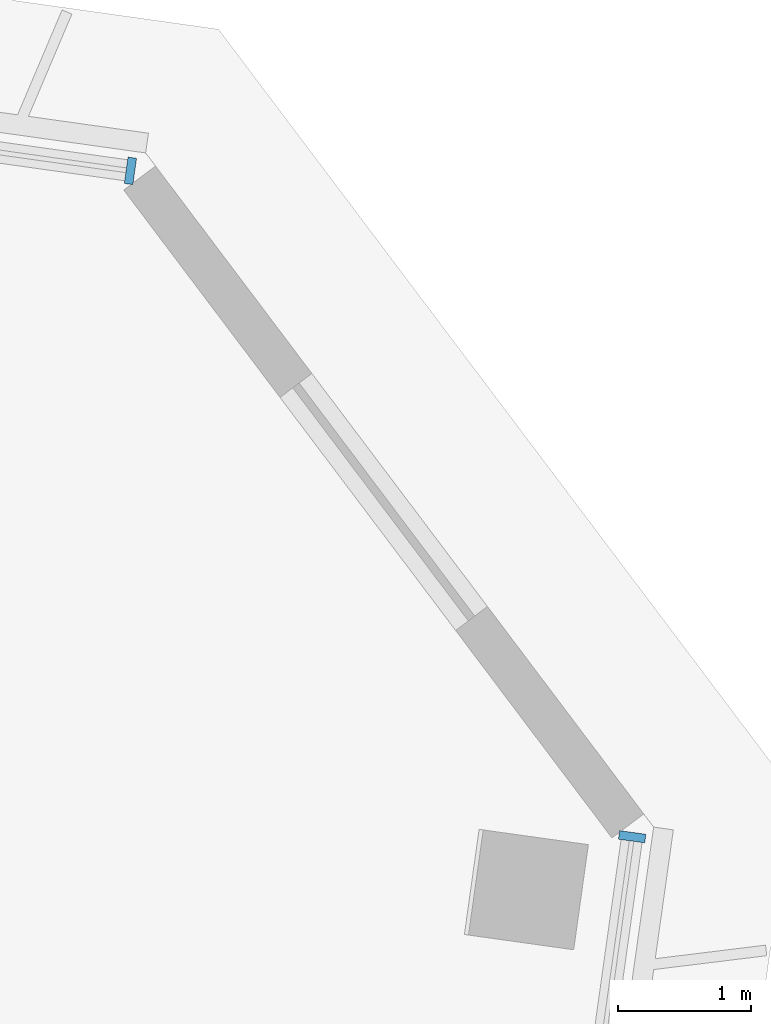
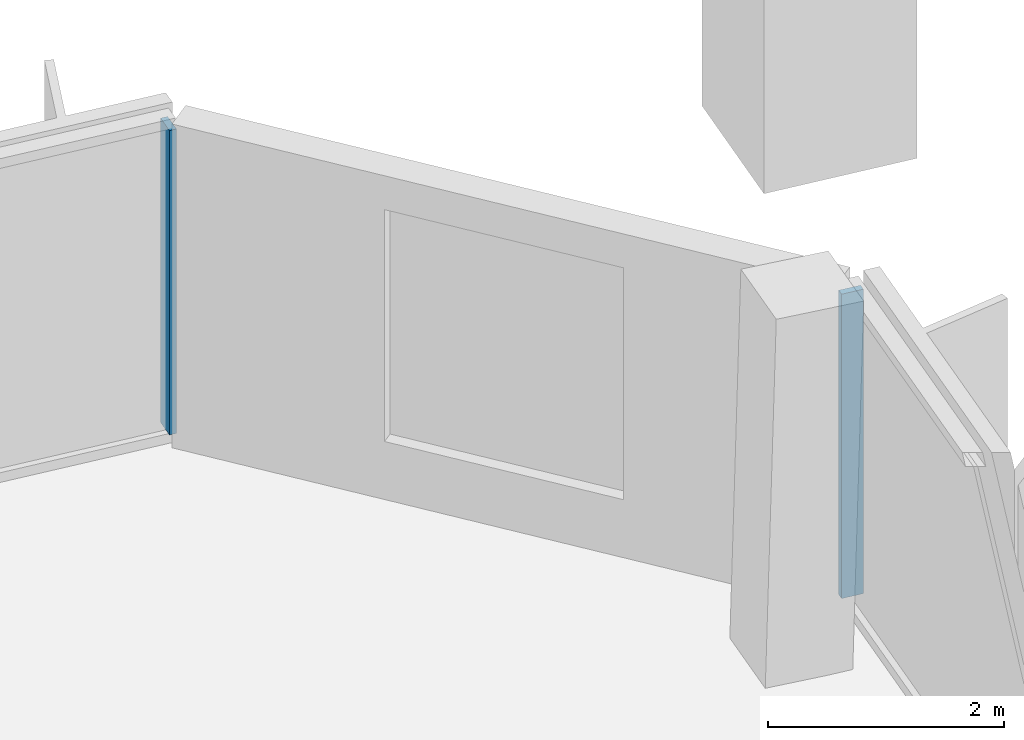
# One storey, part 8 of 28: 2 members, 2 elements without a shape of their own.
"""IFC4 building model written with IfcOpenShell, lengths in metres."""

import ifcopenshell
import ifcopenshell.guid

model = None  # the IFC model being written
_history = None  # IfcOwnerHistory: only IFC2X3 demands one
_inside = {}  # id of a spatial element -> (the spatial element, [elements in it])
_under = {}  # id of a project, library or spatial element -> (it, [spatial elements below it])
_declared = {}  # id of a project -> (the project, [libraries it declares])
_typed = {}  # id of a type object -> (the type object, [elements of that type])
_made_of = {}  # id of a material, layer set ... -> (it, [elements and type objects made of it])


def new_model(schema):
    """Start an empty IFC model of exactly this schema.

    Asked for "IFC4X3", IfcOpenShell would pick the latest addendum, in which some entities
    have other attributes; the version numbers below select the first issue.
    IFC2X3 requires an IfcOwnerHistory on every rooted entity: one is made here for all.
    """
    global model, _history
    if schema == "IFC4X3":
        model = ifcopenshell.file(schema_version=(4, 3, 0, 0))
    else:
        model = ifcopenshell.file(schema=schema)
    _inside.clear()
    _under.clear()
    _declared.clear()
    _typed.clear()
    _made_of.clear()
    _history = None
    if model.schema == "IFC2X3":
        org = make("IfcOrganization", Name="unknown")
        user = make(
            "IfcPersonAndOrganization",
            ThePerson=make("IfcPerson", FamilyName="unknown"),
            TheOrganization=org,
        )
        app = make(
            "IfcApplication",
            ApplicationDeveloper=org,
            Version="unknown",
            ApplicationFullName="unknown",
            ApplicationIdentifier="unknown",
        )
        _history = make(
            "IfcOwnerHistory",
            OwningUser=user,
            OwningApplication=app,
            ChangeAction="ADDED",
            CreationDate=0,
        )
    return model


def make(cls, **values):
    """One entity of the class cls with the attributes given. An attribute that is None is left unset."""
    return model.create_entity(
        cls, **{name: value for name, value in values.items() if value is not None}
    )


def rooted(cls, **values):
    """An entity with a GlobalId (a new one), such as an element, a storey or a relation."""
    return make(cls, GlobalId=ifcopenshell.guid.new(), OwnerHistory=_history, **values)


def si_unit(unit_type, name, prefix=None):
    """IfcSIUnit, for example si_unit("LENGTHUNIT", "METRE", prefix="MILLI")."""
    return make("IfcSIUnit", UnitType=unit_type, Prefix=prefix, Name=name)


def assignment(units):
    """IfcUnitAssignment: the units of a project."""
    return None if units is None else make("IfcUnitAssignment", Units=units)


def point(xyz):
    """IfcCartesianPoint."""
    return None if xyz is None else make("IfcCartesianPoint", Coordinates=xyz)


def direction(xyz):
    """IfcDirection."""
    return None if xyz is None else make("IfcDirection", DirectionRatios=xyz)


def frame(location, z_axis=None, x_axis=None):
    """IfcAxis2Placement3D, a coordinate frame: its origin and axes. An axis left out is left unset."""
    return make(
        "IfcAxis2Placement3D",
        Location=point(location),
        Axis=direction(z_axis),
        RefDirection=direction(x_axis),
    )


def frame_2d(location, x_axis=None):
    """IfcAxis2Placement2D, a coordinate frame in the plane: its origin and x axis."""
    return make(
        "IfcAxis2Placement2D", Location=point(location), RefDirection=direction(x_axis)
    )


def origin():
    """The frame at (0, 0, 0) with its axes left unset."""
    return frame((0.0, 0.0, 0.0))


def origin_2d():
    """The frame at (0, 0) in the plane with its x axis left unset."""
    return frame_2d((0.0, 0.0))


def place(relative_to, where):
    """IfcLocalPlacement: puts the frame where relative to a parent placement (None: the world)."""
    return make(
        "IfcLocalPlacement", PlacementRelTo=relative_to, RelativePlacement=where
    )


def context(
    kind, dimensions, precision=None, world=None, true_north=None, identifier=None
):
    """IfcGeometricRepresentationContext, for example the 3D "Model" context."""
    return make(
        "IfcGeometricRepresentationContext",
        ContextIdentifier=identifier,
        ContextType=kind,
        CoordinateSpaceDimension=dimensions,
        Precision=precision,
        WorldCoordinateSystem=world,
        TrueNorth=true_north,
    )


def subcontext(parent, identifier, kind, view, scale=None):
    """IfcGeometricRepresentationSubContext, for example "Body" below "Model"."""
    return make(
        "IfcGeometricRepresentationSubContext",
        ContextIdentifier=identifier,
        ContextType=kind,
        ParentContext=parent,
        TargetScale=scale,
        TargetView=view,
    )


def project(units=None, contexts=None):
    """IfcProject with its units and contexts."""
    return rooted(
        "IfcProject",
        Name="project",
        RepresentationContexts=contexts,
        UnitsInContext=assignment(units),
    )


def spatial(cls, under=None, at=None, **own):
    """A site, building, storey or space (cls), placed at a placement, below another one or the project."""
    s = rooted(cls, ObjectPlacement=at, **own)
    if under is not None:
        _under.setdefault(under.id(), (under, []))[1].append(s)
    return s


def profile(cls, at=None, kind="AREA", **sizes):
    """A parametric profile (cls). Its sizes go by their IFC names, for example OverallWidth=200.0."""
    return make(cls, ProfileType=kind, Position=at, **sizes)


def rectangle(**sizes):
    """IfcRectangleProfileDef."""
    return profile("IfcRectangleProfileDef", **sizes)


def extrude(swept, where, along, depth):
    """IfcExtrudedAreaSolid: the profile swept, set in the frame where, extruded along a direction by depth."""
    return make(
        "IfcExtrudedAreaSolid",
        SweptArea=swept,
        Position=where,
        ExtrudedDirection=direction(along),
        Depth=depth,
    )


def shape(context_of_items, identifier, shape_type, items):
    """IfcShapeRepresentation: the items that make up one representation, for example the "Body"."""
    return make(
        "IfcShapeRepresentation",
        ContextOfItems=context_of_items,
        RepresentationIdentifier=identifier,
        RepresentationType=shape_type,
        Items=items,
    )


def material(Name=None, Category=None):
    """IfcMaterial."""
    return make("IfcMaterial", Name=Name, Category=Category)


def material_profile(
    of_material, cross_section, Name=None, Category=None, Priority=None
):
    """IfcMaterialProfile: a cross section and its material."""
    return make(
        "IfcMaterialProfile",
        Name=Name,
        Material=of_material,
        Profile=cross_section,
        Priority=Priority,
        Category=Category,
    )


def profile_set(profiles, Name=None, composite=None):
    """IfcMaterialProfileSet."""
    return make(
        "IfcMaterialProfileSet",
        Name=Name,
        MaterialProfiles=profiles,
        CompositeProfile=composite,
    )


def made_of(thing, what):
    """Note that an element or type object is made of a material, layer set ...; save() writes the relation."""
    if what is not None:
        _made_of.setdefault(what.id(), (what, []))[1].append(thing)
    return thing


def type_object(cls, material=None, **own):
    """A type object (cls), such as IfcWallType, which elements share."""
    return made_of(rooted(cls, **own), material)


def element(
    cls,
    number,
    at=None,
    inside=None,
    cuts=None,
    type_object=None,
    material=None,
    context=None,
    identifier="Body",
    shape_type=None,
    held_by="IfcProductDefinitionShape",
    body=None,
    shapes=None,
    **own,
):
    """One element of the class cls, such as IfcWall. Its Tag is "e" and its number.

    at: its placement. inside: the storey or other place that contains it. cuts: it is an
    opening in that element (IfcRelVoidsElement). A single representation is given by context,
    identifier, shape_type and body (its items); several are given by shapes. held_by: the class
    of the entity that holds the representations. save() writes the other relations.
    """
    e = rooted(cls, Tag="e%d" % number, ObjectPlacement=at, **own)
    if body is not None:
        shapes = [shape(context, identifier, shape_type, body)]
    if shapes is not None:
        e.Representation = make(held_by, Representations=shapes)
    if inside is not None:
        _inside.setdefault(inside.id(), (inside, []))[1].append(e)
    if cuts is not None:
        rooted(
            "IfcRelVoidsElement", RelatingBuildingElement=cuts, RelatedOpeningElement=e
        )
    if type_object is not None:
        _typed.setdefault(type_object.id(), (type_object, []))[1].append(e)
    return made_of(e, material)


def aggregate(whole, parts):
    """IfcRelAggregates: a whole, such as a stair, and the parts it consists of."""
    return rooted("IfcRelAggregates", RelatingObject=whole, RelatedObjects=parts)


def save(model, path):
    """Write the relations noted so far, then the file.

    IfcRelAggregates (storeys below a building ...), IfcRelContainedInSpatialStructure (elements
    in a storey), IfcRelDefinesByType, IfcRelAssociatesMaterial and IfcRelDeclares: one each for
    every whole, place, type object, material and project.
    """
    for whole, parts in _under.values():
        aggregate(whole, parts)
    for where, things in _inside.values():
        rooted(
            "IfcRelContainedInSpatialStructure",
            RelatedElements=things,
            RelatingStructure=where,
        )
    for kind, things in _typed.values():
        rooted("IfcRelDefinesByType", RelatedObjects=things, RelatingType=kind)
    for what, things in _made_of.values():
        rooted("IfcRelAssociatesMaterial", RelatedObjects=things, RelatingMaterial=what)
    for by, libraries in _declared.values():
        rooted("IfcRelDeclares", RelatingContext=by, RelatedDefinitions=libraries)
    model.write(path)


model = new_model("IFC4")

# Units and contexts
model_context = context("Model", 3, precision=1e-05, world=origin(), true_north=direction((0.0, 1.0)))
body_context = subcontext(model_context, "Body", "Model", "MODEL_VIEW")
ifc_project = project(units=[si_unit("LENGTHUNIT", "METRE"), si_unit("AREAUNIT", "SQUARE_METRE"), si_unit("VOLUMEUNIT", "CUBIC_METRE"), si_unit("PLANEANGLEUNIT", "RADIAN"), si_unit("MASSUNIT", "GRAM", prefix="KILO")], contexts=[model_context])

# Site, building, storey
site_placement = place(None, origin())
site = spatial("IfcSite", under=ifc_project, at=site_placement, CompositionType="ELEMENT")
building_placement = place(site_placement, origin())
building = spatial("IfcBuilding", under=site, at=building_placement, Name="Mirante Cascada Hotel Towers", CompositionType="ELEMENT")
storey_placement = place(building_placement, frame((0.0, 0.0, 165.0)))
storey = spatial("IfcBuildingStorey", under=building, at=storey_placement, Name="L38", CompositionType="ELEMENT", Elevation=165.0)

# Curtain wall, member
ifc_material_1 = material(Name="Aluminium mullion and transom frame with clear laminated glass", Category="aluminium")
curtain_wall_type_1 = type_object("IfcCurtainWallType", Name="Ribbon curtain wall ECW1", PredefinedType="NOTDEFINED", material=ifc_material_1)
curtain_wall_1_placement = place(storey_placement, origin())
curtain_wall_1 = element("IfcCurtainWall", 1, at=curtain_wall_1_placement, inside=storey, type_object=curtain_wall_type_1, Name="Front ribbon wall T1 L38", PredefinedType="NOTDEFINED")
ifc_material_2 = material(Name="Anodised aluminium extrusion", Category="aluminium")
ifc_material_profile_1 = material_profile(ifc_material_2, rectangle(XDim=0.2, YDim=0.065, at=origin_2d()), Name="ECW1 MULLION 65x200")
ifc_profile_set_1 = profile_set([ifc_material_profile_1], Name="Anodised aluminium extrusion")
member_type_1 = type_object("IfcMemberType", Name="ECW1 mullion 65x200", PredefinedType="MULLION", material=ifc_profile_set_1)
member_1_placement = place(storey_placement, frame((-31.7256, 17.2778, 0.1), z_axis=(0.0, 0.0, 1.0), x_axis=(0.1391731, 0.9902681, 0.0)))
member_1 = element("IfcMember", 2, at=member_1_placement, type_object=member_type_1, Name="ECW1 mullion 13", PredefinedType="MULLION", context=body_context, shape_type="SweptSolid", body=[
    extrude(rectangle(XDim=0.2, YDim=0.065, at=origin_2d()), origin(), (0.0, 0.0, 1.0), 3.15),
])
aggregate(curtain_wall_1, [member_1])

ifc_material_3 = material(Name="Aluminium mullion and transom frame with clear laminated glass", Category="aluminium")
curtain_wall_type_2 = type_object("IfcCurtainWallType", Name="End ribbon curtain wall ECW2", PredefinedType="NOTDEFINED", material=ifc_material_3)
curtain_wall_2_placement = place(storey_placement, origin())
curtain_wall_2 = element("IfcCurtainWall", 3, at=curtain_wall_2_placement, inside=storey, type_object=curtain_wall_type_2, Name="Inner end wall T1 L38", PredefinedType="NOTDEFINED")
ifc_material_4 = material(Name="Anodised aluminium extrusion", Category="aluminium")
ifc_material_profile_2 = material_profile(ifc_material_4, rectangle(XDim=0.2, YDim=0.065, at=origin_2d()), Name="ECW2 MULLION 65x200")
ifc_profile_set_2 = profile_set([ifc_material_profile_2], Name="Anodised aluminium extrusion")
member_type_2 = type_object("IfcMemberType", Name="ECW2 mullion 65x200", PredefinedType="MULLION", material=ifc_profile_set_2)
member_2_placement = place(storey_placement, frame((-27.9428, 12.2578, 0.1), z_axis=(0.0, 0.0, 1.0), x_axis=(0.9902681, -0.1391731, 0.0)))
member_2 = element("IfcMember", 4, at=member_2_placement, type_object=member_type_2, Name="ECW2 mullion 1", PredefinedType="MULLION", context=body_context, shape_type="SweptSolid", body=[
    extrude(rectangle(XDim=0.2, YDim=0.065, at=origin_2d()), origin(), (0.0, 0.0, 1.0), 3.15),
])
aggregate(curtain_wall_2, [member_2])

save(model, "model.ifc")
